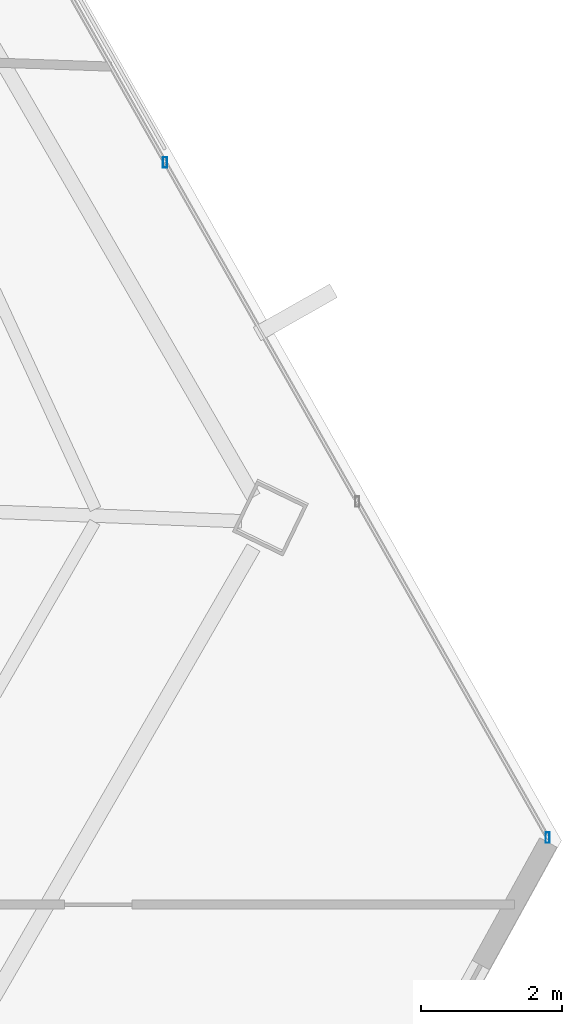
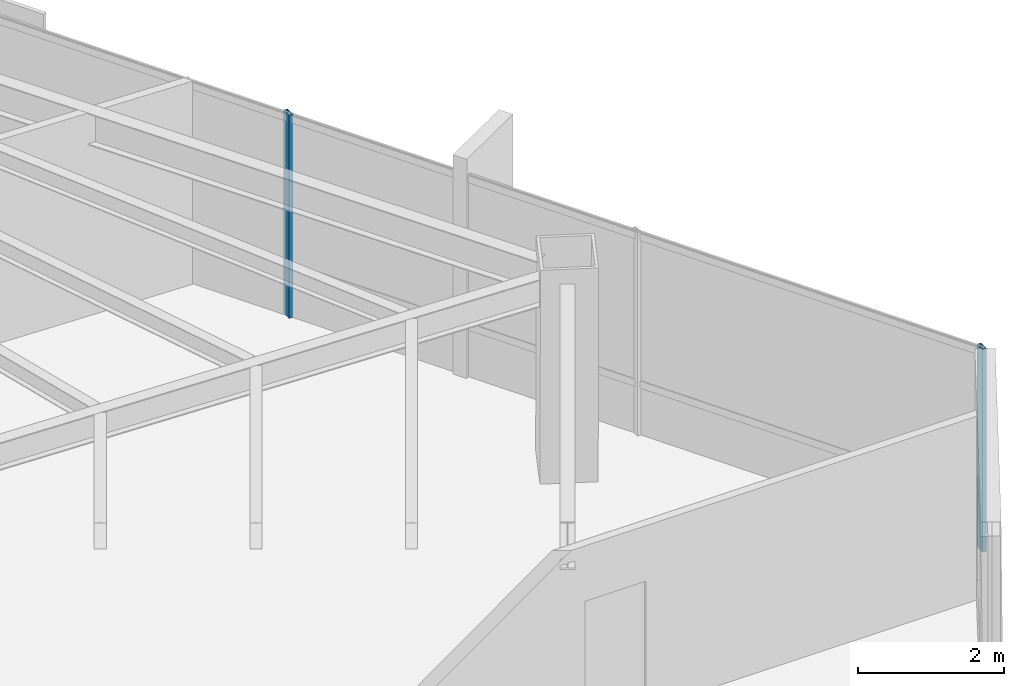
# One storey, part 24 of 40: 2 members, 1 element without a shape of its own.
"""IFC4 building model written with IfcOpenShell, lengths in metres."""

from ifc_helpers import new_model, si_unit, direction, frame, origin, origin_2d, place, context, subcontext, project, spatial, hollow_rectangle, extrude, source, transform, mapped, material, material_profile, profile_set, type_object, type_shapes, element, aggregate, save


model = new_model("IFC4")

# Units and contexts
model_context = context("Model", 3, precision=1e-05, world=origin(), true_north=direction((0.0, 1.0)))
body_context = subcontext(model_context, "Body", "Model", "MODEL_VIEW")
ifc_project = project(units=[si_unit("LENGTHUNIT", "METRE"), si_unit("AREAUNIT", "SQUARE_METRE"), si_unit("VOLUMEUNIT", "CUBIC_METRE"), si_unit("PLANEANGLEUNIT", "RADIAN"), si_unit("MASSUNIT", "GRAM", prefix="KILO")], contexts=[model_context])

# Site, building, storey
site_placement = place(None, origin())
site = spatial("IfcSite", under=ifc_project, at=site_placement, CompositionType="ELEMENT")
building_placement = place(site_placement, origin())
building = spatial("IfcBuilding", under=site, at=building_placement, Name="Caelisora Broadcast Tower", CompositionType="ELEMENT")
storey_placement = place(building_placement, frame((0.0, 0.0, 213.25)))
storey = spatial("IfcBuildingStorey", under=building, at=storey_placement, Name="L56", CompositionType="ELEMENT", Elevation=213.25)

# Curtain wall, members
ifc_material_1 = material(Name="Unitised Aluminium and Low-E Glass Curtain Wall", Category="glass")
curtain_wall_type = type_object("IfcCurtainWallType", Name="CW-Z4", PredefinedType="NOTDEFINED", material=ifc_material_1)
curtain_wall_placement = place(storey_placement, origin())
curtain_wall = element("IfcCurtainWall", 1, at=curtain_wall_placement, inside=storey, type_object=curtain_wall_type, Name="L56 curtain wall CW-Z4", PredefinedType="NOTDEFINED")
ifc_material_2 = material(Name="Aluminium 6063-T6 Anodised Terracotta Bronze", Category="aluminium")
ifc_material_profile = material_profile(ifc_material_2, hollow_rectangle(XDim=0.06005859375, YDim=0.14990234375, WallThickness=0.00341796875, at=origin_2d()), Name="Aluminium 6063-T6 Anodised Terracotta Bronze")
ifc_profile_set = profile_set([ifc_material_profile], Name="Aluminium 6063-T6 Anodised Terracotta Bronze")
member_type = type_object("IfcMemberType", Name="CWM-03", PredefinedType="MULLION", material=ifc_profile_set)
shared_shape = source(origin(), body_context, "Body", "SweptSolid", [
    extrude(hollow_rectangle(XDim=0.06005859375, YDim=0.14990234375, WallThickness=0.00341796875, at=origin_2d()), origin(), (0.0, 0.0, 1.0), 3.39990234375),
])
type_shapes(member_type, [shared_shape])
member_1_placement = place(storey_placement, frame((58.506103515625, 21.9619140625, 0.0), z_axis=(0.0, 0.0, 1.0), x_axis=(1.0, 0.0, 0.0)))
member_1 = element("IfcMember", 2, at=member_1_placement, type_object=member_type, Name="L56-CW-B03 mullion #1", PredefinedType="MULLION", context=body_context, shape_type="MappedRepresentation", body=[
    mapped(shared_shape, transform((0.0, 0.0, 0.0), scale=1.0)),
])
member_2_placement = place(storey_placement, frame((63.9453125, 12.361572265625, 0.0), z_axis=(0.0, 0.0, 1.0), x_axis=(1.0, 0.0, 0.0)))
member_2 = element("IfcMember", 3, at=member_2_placement, type_object=member_type, Name="L56-CW-B03 mullion #3", PredefinedType="MULLION", context=body_context, shape_type="MappedRepresentation", body=[
    mapped(shared_shape, transform((0.0, 0.0, 0.0), scale=1.0)),
])
aggregate(curtain_wall, [member_1, member_2])

save(model, "model.ifc")
